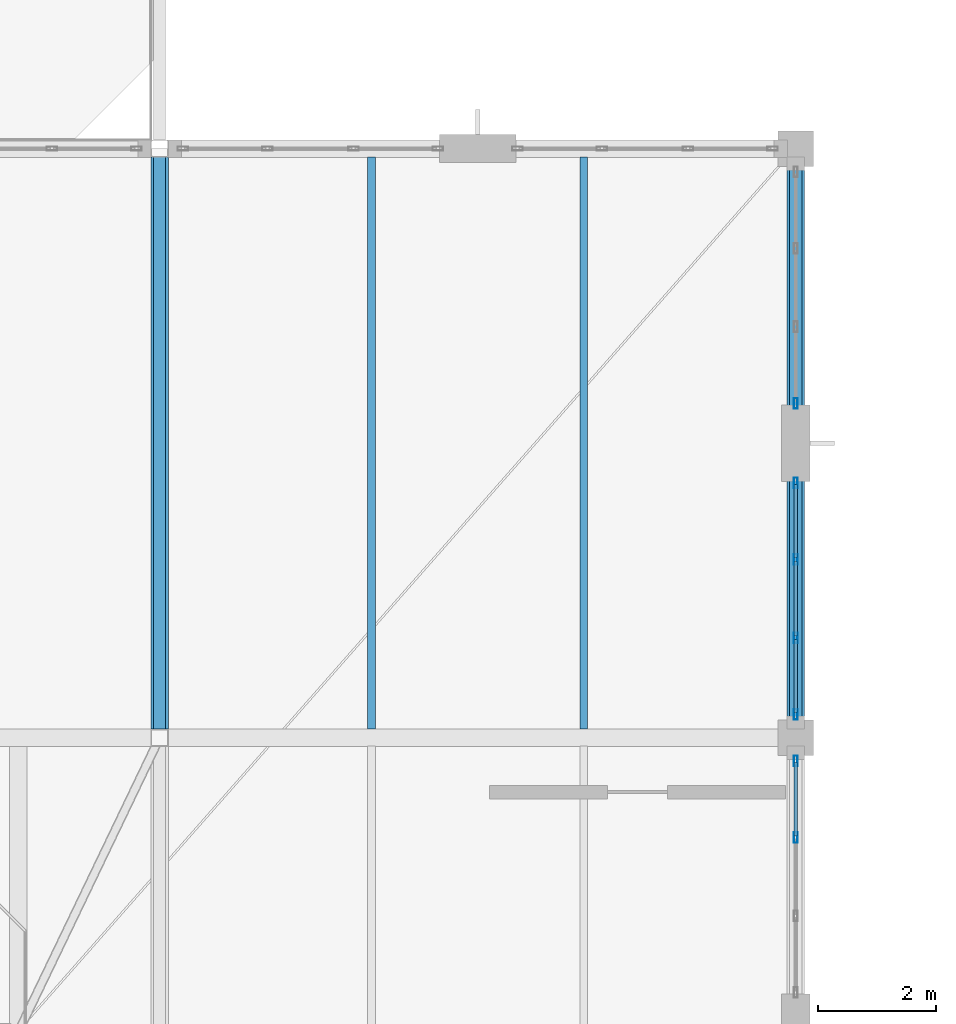
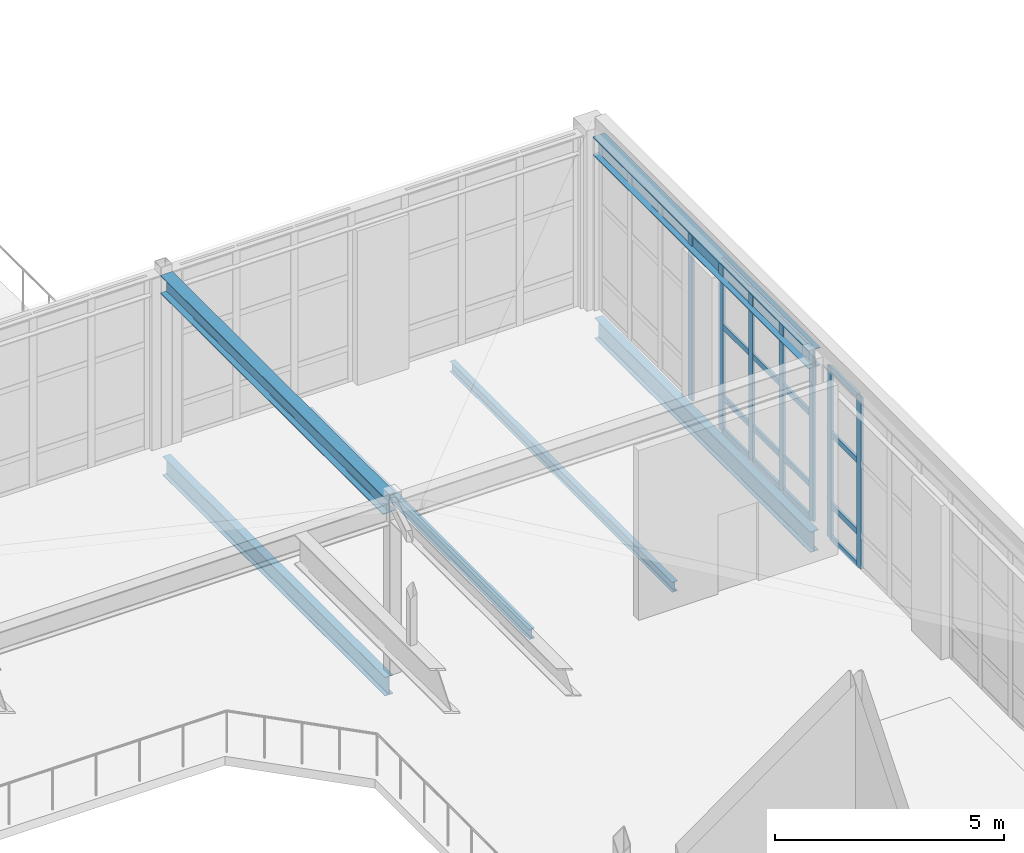
# One storey, part 42 of 86: 23 members, 6 beams, 3 elements without a shape of their own.
"""IFC4 building model written with IfcOpenShell, lengths in metres."""

from ifc_helpers import new_model, si_unit, direction, frame, origin, origin_2d, place, context, subcontext, project, spatial, hollow_rectangle, i_section, extrude, material, layer, layer_set, material_profile, profile_set, type_object, element, aggregate, save


model = new_model("IFC4")

# Units and contexts
model_context = context("Model", 3, precision=1e-05, world=origin(), true_north=direction((0.0, 1.0)))
body_context = subcontext(model_context, "Body", "Model", "MODEL_VIEW")
ifc_project = project(units=[si_unit("LENGTHUNIT", "METRE"), si_unit("AREAUNIT", "SQUARE_METRE"), si_unit("VOLUMEUNIT", "CUBIC_METRE"), si_unit("PLANEANGLEUNIT", "RADIAN"), si_unit("MASSUNIT", "GRAM", prefix="KILO")], contexts=[model_context])

# Site, building, storey
site_placement = place(None, origin())
site = spatial("IfcSite", under=ifc_project, at=site_placement, CompositionType="ELEMENT")
building_placement = place(site_placement, origin())
building = spatial("IfcBuilding", under=site, at=building_placement, Name="Tasgan Crest Museum", CompositionType="ELEMENT")
storey_placement = place(building_placement, frame((0.0, 0.0, 24.0)))
storey = spatial("IfcBuildingStorey", under=building, at=storey_placement, Name="L04", CompositionType="ELEMENT", Elevation=24.0)

# Beams
ifc_material_1 = material(Name="Steel S355J2", Category="steel")
ifc_material_profile_1 = material_profile(ifc_material_1, i_section(OverallWidth=0.300048828125, OverallDepth=0.489990234375, WebThickness=0.011962890625, FlangeThickness=0.02294921875, FilletRadius=0.027099609375, at=origin_2d()), Name="HEA 500")
ifc_profile_set_1 = profile_set([ifc_material_profile_1], Name="Steel S355J2")
beam_type_1 = type_object("IfcBeamType", Name="BM-G-HEA500", PredefinedType="BEAM", material=ifc_profile_set_1)
beam_1_placement = place(storey_placement, frame((97.199951171875, 72.14599609375, 4.35498046875), z_axis=(0.0, 1.0, 0.0), x_axis=(-1.0, 0.0, 0.0)))
element("IfcBeam", 1, at=beam_1_placement, inside=storey, type_object=beam_type_1, Name="Winter-garden roof beam 10 72-82", PredefinedType="BEAM", context=body_context, shape_type="SweptSolid", body=[
    extrude(i_section(OverallWidth=0.300048828125, OverallDepth=0.489990234375, WebThickness=0.011962890625, FlangeThickness=0.02294921875, FilletRadius=0.027099609375, at=origin_2d()), origin(), (0.0, 0.0, 1.0), 9.7080078125),
])
beam_2_placement = place(storey_placement, frame((108.0, 72.2958984375, 4.35498046875), z_axis=(0.0, 1.0, 0.0), x_axis=(-1.0, 0.0, 0.0)))
element("IfcBeam", 2, at=beam_2_placement, inside=storey, type_object=beam_type_1, Name="Winter-garden roof beam 11 72-82", PredefinedType="BEAM", context=body_context, shape_type="SweptSolid", body=[
    extrude(i_section(OverallWidth=0.300048828125, OverallDepth=0.489990234375, WebThickness=0.011962890625, FlangeThickness=0.02294921875, FilletRadius=0.027099609375, at=origin_2d()), origin(), (0.0, 0.0, 1.0), 9.408203125),
])
ifc_material_2 = material(Name="Steel S355J2", Category="steel")
ifc_material_profile_2 = material_profile(ifc_material_2, i_section(OverallWidth=0.199951171875, OverallDepth=0.5, WebThickness=0.01025390625, FlangeThickness=0.01611328125, FilletRadius=0.02099609375, at=origin_2d()), Name="IPE 500")
ifc_profile_set_2 = profile_set([ifc_material_profile_2], Name="Steel S355J2")
beam_type_2 = type_object("IfcBeamType", Name="BM-G-IPE500", PredefinedType="BEAM", material=ifc_profile_set_2)
beam_3_placement = place(storey_placement, frame((97.199951171875, 72.14501953125, -0.489990234375), z_axis=(0.0, 1.0, 0.0), x_axis=(-1.0, 0.0, 0.0)))
element("IfcBeam", 3, at=beam_3_placement, inside=storey, type_object=beam_type_2, Name="Beam L04 10 72.0-82.0", PredefinedType="BEAM", context=body_context, shape_type="SweptSolid", body=[
    extrude(i_section(OverallWidth=0.199951171875, OverallDepth=0.5, WebThickness=0.01025390625, FlangeThickness=0.01611328125, FilletRadius=0.02099609375, at=origin_2d()), origin(), (0.0, 0.0, 1.0), 9.7099609375),
])
ifc_material_3 = material(Name="Steel S355J2", Category="steel")
ifc_material_profile_3 = material_profile(ifc_material_3, i_section(OverallWidth=0.2099609375, OverallDepth=0.550048828125, WebThickness=0.010986328125, FlangeThickness=0.01708984375, FilletRadius=0.02392578125, at=origin_2d()), Name="IPE 550")
ifc_profile_set_3 = profile_set([ifc_material_profile_3], Name="Steel S355J2")
beam_type_3 = type_object("IfcBeamType", Name="BM-G-IPE550", PredefinedType="BEAM", material=ifc_profile_set_3)
beam_4_placement = place(storey_placement, frame((108.0, 72.294921875, -0.514892578125), z_axis=(0.0, 1.0, 0.0), x_axis=(-1.0, 0.0, 0.0)))
element("IfcBeam", 4, at=beam_4_placement, inside=storey, type_object=beam_type_3, Name="Beam L04 11 72.0-82.0", PredefinedType="BEAM", context=body_context, shape_type="SweptSolid", body=[
    extrude(i_section(OverallWidth=0.2099609375, OverallDepth=0.550048828125, WebThickness=0.010986328125, FlangeThickness=0.01708984375, FilletRadius=0.02392578125, at=origin_2d()), origin(), (0.0, 0.0, 1.0), 9.41015625),
])
ifc_material_4 = material(Name="Steel S355J2", Category="steel")
ifc_material_profile_4 = material_profile(ifc_material_4, i_section(OverallWidth=0.135009765625, OverallDepth=0.27001953125, WebThickness=0.006591796875, FlangeThickness=0.01025390625, FilletRadius=0.014892578125, at=origin_2d()), Name="IPE 270")
ifc_profile_set_4 = profile_set([ifc_material_profile_4], Name="Steel S355J2")
beam_type_4 = type_object("IfcBeamType", Name="BM-J-IPE270", PredefinedType="JOIST", material=ifc_profile_set_4)
for number, where, z_axis, x_axis, name in (
    (5, (100.800048828125, 72.14501953125, -0.375), (0.0, 1.0, 0.0), (-1.0, 0.0, 0.0), "Secondary joist L04 X=100.8 Y=72.0-82.0"),
    (6, (104.39990234375, 72.14501953125, -0.375), (0.0, 1.0, 0.0), (-1.0, 0.0, 0.0), "Secondary joist L04 X=104.4 Y=72.0-82.0"),
):
    element("IfcBeam", number, at=place(storey_placement, frame(where, z_axis=z_axis, x_axis=x_axis)), inside=storey, type_object=beam_type_4, Name=name, PredefinedType="JOIST", context=body_context, shape_type="SweptSolid", body=[
        extrude(i_section(OverallWidth=0.135009765625, OverallDepth=0.27001953125, WebThickness=0.006591796875, FlangeThickness=0.01025390625, FilletRadius=0.014892578125, at=origin_2d()), origin(), (0.0, 0.0, 1.0), 9.7099609375),
    ])

# Curtain wall, members
ifc_material_5 = material(Name="Triple-Glazed Aluminium Curtain Wall", Category="aluminium")
ifc_layer = layer(ifc_material_5, 0.179931640625, Name="CW-DRUM-Y10-48")
ifc_layer_set = layer_set([ifc_layer], Name="Triple-Glazed Aluminium Curtain Wall")
curtain_wall_type = type_object("IfcCurtainWallType", Name="CW-DRUM-Y10-48", PredefinedType="NOTDEFINED", material=ifc_layer_set)
curtain_wall_1_placement = place(storey_placement, origin())
curtain_wall_1 = element("IfcCurtainWall", 7, at=curtain_wall_1_placement, inside=storey, type_object=curtain_wall_type, Name="Curtain wall L04 198", PredefinedType="NOTDEFINED")
ifc_material_6 = material(Name="Anodised Aluminium", Category="aluminium")
ifc_material_profile_5 = material_profile(ifc_material_6, hollow_rectangle(XDim=0.06494140625, YDim=0.179931640625, WallThickness=0.0048828125, at=origin_2d()), Name="ALU MULLION 180x65x5")
ifc_profile_set_5 = profile_set([ifc_material_profile_5], Name="Anodised Aluminium")
member_type_1 = type_object("IfcMemberType", Name="CW-MULLION-180", PredefinedType="MULLION", material=ifc_profile_set_5)
member_1_placement = place(storey_placement, frame((108.0, 70.304931640625, 0.0), z_axis=(0.0, 0.0, 1.0), x_axis=(-1.0, 0.0, 0.0)))
member_1 = element("IfcMember", 8, at=member_1_placement, type_object=member_type_1, Name="CW04 mullion 3", PredefinedType="MULLION", context=body_context, shape_type="SweptSolid", body=[
    extrude(hollow_rectangle(XDim=0.06494140625, YDim=0.179931640625, WallThickness=0.0048828125, at=origin_2d()), origin(), (0.0, 0.0, 1.0), 4.56005859375),
])
member_2_placement = place(storey_placement, frame((108.0, 71.60498046875, 0.0), z_axis=(0.0, 0.0, 1.0), x_axis=(-1.0, 0.0, 0.0)))
member_2 = element("IfcMember", 9, at=member_2_placement, type_object=member_type_1, Name="CW04 mullion 4", PredefinedType="MULLION", context=body_context, shape_type="SweptSolid", body=[
    extrude(hollow_rectangle(XDim=0.06494140625, YDim=0.179931640625, WallThickness=0.0048828125, at=origin_2d()), origin(), (0.0, 0.0, 1.0), 4.56005859375),
])

curtain_wall_2_placement = place(storey_placement, origin())
curtain_wall_2 = element("IfcCurtainWall", 10, at=curtain_wall_2_placement, inside=storey, type_object=curtain_wall_type, Name="Curtain wall L04 199", PredefinedType="NOTDEFINED")
member_3_placement = place(storey_placement, frame((108.0, 72.39501953125, 0.0), z_axis=(0.0, 0.0, 1.0), x_axis=(-1.0, 0.0, 0.0)))
member_3 = element("IfcMember", 11, at=member_3_placement, type_object=member_type_1, Name="CW04 mullion 1", PredefinedType="MULLION", context=body_context, shape_type="SweptSolid", body=[
    extrude(hollow_rectangle(XDim=0.06494140625, YDim=0.179931640625, WallThickness=0.0048828125, at=origin_2d()), origin(), (0.0, 0.0, 1.0), 4.56005859375),
])
member_4_placement = place(storey_placement, frame((108.0, 73.695068359375, 0.0), z_axis=(0.0, 0.0, 1.0), x_axis=(-1.0, 0.0, 0.0)))
member_4 = element("IfcMember", 12, at=member_4_placement, type_object=member_type_1, Name="CW04 mullion 2", PredefinedType="MULLION", context=body_context, shape_type="SweptSolid", body=[
    extrude(hollow_rectangle(XDim=0.06494140625, YDim=0.179931640625, WallThickness=0.0048828125, at=origin_2d()), origin(), (0.0, 0.0, 1.0), 4.56005859375),
])
member_5_placement = place(storey_placement, frame((108.0, 75.02490234375, 0.0), z_axis=(0.0, 0.0, 1.0), x_axis=(-1.0, 0.0, 0.0)))
member_5 = element("IfcMember", 13, at=member_5_placement, type_object=member_type_1, Name="CW04 mullion 3", PredefinedType="MULLION", context=body_context, shape_type="SweptSolid", body=[
    extrude(hollow_rectangle(XDim=0.06494140625, YDim=0.179931640625, WallThickness=0.0048828125, at=origin_2d()), origin(), (0.0, 0.0, 1.0), 4.56005859375),
])
member_6_placement = place(storey_placement, frame((108.0, 76.324951171875, 0.0), z_axis=(0.0, 0.0, 1.0), x_axis=(-1.0, 0.0, 0.0)))
member_6 = element("IfcMember", 14, at=member_6_placement, type_object=member_type_1, Name="CW04 mullion 4", PredefinedType="MULLION", context=body_context, shape_type="SweptSolid", body=[
    extrude(hollow_rectangle(XDim=0.06494140625, YDim=0.179931640625, WallThickness=0.0048828125, at=origin_2d()), origin(), (0.0, 0.0, 1.0), 4.56005859375),
])

# Curtain wall, member
curtain_wall_3_placement = place(storey_placement, origin())
curtain_wall_3 = element("IfcCurtainWall", 15, at=curtain_wall_3_placement, inside=storey, type_object=curtain_wall_type, Name="Curtain wall L04 200", PredefinedType="NOTDEFINED")
member_7_placement = place(storey_placement, frame((108.0, 77.675048828125, 0.0), z_axis=(0.0, 0.0, 1.0), x_axis=(-1.0, 0.0, 0.0)))
member_7 = element("IfcMember", 16, at=member_7_placement, type_object=member_type_1, Name="CW04 mullion 1", PredefinedType="MULLION", context=body_context, shape_type="SweptSolid", body=[
    extrude(hollow_rectangle(XDim=0.06494140625, YDim=0.179931640625, WallThickness=0.0048828125, at=origin_2d()), origin(), (0.0, 0.0, 1.0), 4.56005859375),
])
aggregate(curtain_wall_3, [member_7])

# Member
ifc_material_7 = material(Name="Anodised Aluminium", Category="aluminium")
ifc_material_profile_6 = material_profile(ifc_material_7, hollow_rectangle(XDim=0.06005859375, YDim=0.14990234375, WallThickness=0.0048828125, at=origin_2d()), Name="ALU TRANSOM 150x60x5")
ifc_profile_set_6 = profile_set([ifc_material_profile_6], Name="Anodised Aluminium")
member_type_2 = type_object("IfcMemberType", Name="CW-TRANSOM-150", PredefinedType="USERDEFINED", material=ifc_profile_set_6)
member_8_placement = place(storey_placement, frame((108.0, 70.3349609375, 0.030029296875), z_axis=(0.0, 1.0, 0.0), x_axis=(-1.0, 0.0, 0.0)))
member_8 = element("IfcMember", 17, at=member_8_placement, type_object=member_type_2, Name="CW04 transom 3.1", ObjectType="TRANSOM", PredefinedType="USERDEFINED", context=body_context, shape_type="SweptSolid", body=[
    extrude(hollow_rectangle(XDim=0.06005859375, YDim=0.14990234375, WallThickness=0.0048828125, at=origin_2d()), origin(), (0.0, 0.0, 1.0), 1.239990234375),
])

member_9_placement = place(storey_placement, frame((108.0, 70.3349609375, 0.89990234375), z_axis=(0.0, 1.0, 0.0), x_axis=(-1.0, 0.0, 0.0)))
member_9 = element("IfcMember", 18, at=member_9_placement, type_object=member_type_2, Name="CW04 transom 3.2", ObjectType="TRANSOM", PredefinedType="USERDEFINED", context=body_context, shape_type="SweptSolid", body=[
    extrude(hollow_rectangle(XDim=0.06005859375, YDim=0.14990234375, WallThickness=0.0048828125, at=origin_2d()), origin(), (0.0, 0.0, 1.0), 1.239990234375),
])

member_10_placement = place(storey_placement, frame((108.0, 70.3349609375, 2.800048828125), z_axis=(0.0, 1.0, 0.0), x_axis=(-1.0, 0.0, 0.0)))
member_10 = element("IfcMember", 19, at=member_10_placement, type_object=member_type_2, Name="CW04 transom 3.3", ObjectType="TRANSOM", PredefinedType="USERDEFINED", context=body_context, shape_type="SweptSolid", body=[
    extrude(hollow_rectangle(XDim=0.06005859375, YDim=0.14990234375, WallThickness=0.0048828125, at=origin_2d()), origin(), (0.0, 0.0, 1.0), 1.239990234375),
])

member_11_placement = place(storey_placement, frame((108.0, 70.3349609375, 4.530029296875), z_axis=(0.0, 1.0, 0.0), x_axis=(-1.0, 0.0, 0.0)))
member_11 = element("IfcMember", 20, at=member_11_placement, type_object=member_type_2, Name="CW04 transom 3.4", ObjectType="TRANSOM", PredefinedType="USERDEFINED", context=body_context, shape_type="SweptSolid", body=[
    extrude(hollow_rectangle(XDim=0.06005859375, YDim=0.14990234375, WallThickness=0.0048828125, at=origin_2d()), origin(), (0.0, 0.0, 1.0), 1.239990234375),
])

aggregate(curtain_wall_1, [member_1, member_2, member_8, member_9, member_10, member_11])

member_12_placement = place(storey_placement, frame((108.0, 72.425048828125, 0.030029296875), z_axis=(0.0, 1.0, 0.0), x_axis=(-1.0, 0.0, 0.0)))
member_12 = element("IfcMember", 21, at=member_12_placement, type_object=member_type_2, Name="CW04 transom 1.1", ObjectType="TRANSOM", PredefinedType="USERDEFINED", context=body_context, shape_type="SweptSolid", body=[
    extrude(hollow_rectangle(XDim=0.06005859375, YDim=0.14990234375, WallThickness=0.0048828125, at=origin_2d()), origin(), (0.0, 0.0, 1.0), 1.239990234375),
])

member_13_placement = place(storey_placement, frame((108.0, 72.425048828125, 0.89990234375), z_axis=(0.0, 1.0, 0.0), x_axis=(-1.0, 0.0, 0.0)))
member_13 = element("IfcMember", 22, at=member_13_placement, type_object=member_type_2, Name="CW04 transom 1.2", ObjectType="TRANSOM", PredefinedType="USERDEFINED", context=body_context, shape_type="SweptSolid", body=[
    extrude(hollow_rectangle(XDim=0.06005859375, YDim=0.14990234375, WallThickness=0.0048828125, at=origin_2d()), origin(), (0.0, 0.0, 1.0), 1.239990234375),
])

member_14_placement = place(storey_placement, frame((108.0, 72.425048828125, 2.800048828125), z_axis=(0.0, 1.0, 0.0), x_axis=(-1.0, 0.0, 0.0)))
member_14 = element("IfcMember", 23, at=member_14_placement, type_object=member_type_2, Name="CW04 transom 1.3", ObjectType="TRANSOM", PredefinedType="USERDEFINED", context=body_context, shape_type="SweptSolid", body=[
    extrude(hollow_rectangle(XDim=0.06005859375, YDim=0.14990234375, WallThickness=0.0048828125, at=origin_2d()), origin(), (0.0, 0.0, 1.0), 1.239990234375),
])

member_15_placement = place(storey_placement, frame((108.0, 72.425048828125, 4.530029296875), z_axis=(0.0, 1.0, 0.0), x_axis=(-1.0, 0.0, 0.0)))
member_15 = element("IfcMember", 24, at=member_15_placement, type_object=member_type_2, Name="CW04 transom 1.4", ObjectType="TRANSOM", PredefinedType="USERDEFINED", context=body_context, shape_type="SweptSolid", body=[
    extrude(hollow_rectangle(XDim=0.06005859375, YDim=0.14990234375, WallThickness=0.0048828125, at=origin_2d()), origin(), (0.0, 0.0, 1.0), 1.239990234375),
])

member_16_placement = place(storey_placement, frame((108.0, 73.72509765625, 0.030029296875), z_axis=(0.0, 1.0, 0.0), x_axis=(-1.0, 0.0, 0.0)))
member_16 = element("IfcMember", 25, at=member_16_placement, type_object=member_type_2, Name="CW04 transom 2.1", ObjectType="TRANSOM", PredefinedType="USERDEFINED", context=body_context, shape_type="SweptSolid", body=[
    extrude(hollow_rectangle(XDim=0.06005859375, YDim=0.14990234375, WallThickness=0.0048828125, at=origin_2d()), origin(), (0.0, 0.0, 1.0), 1.27001953125),
])

member_17_placement = place(storey_placement, frame((108.0, 73.72509765625, 0.89990234375), z_axis=(0.0, 1.0, 0.0), x_axis=(-1.0, 0.0, 0.0)))
member_17 = element("IfcMember", 26, at=member_17_placement, type_object=member_type_2, Name="CW04 transom 2.2", ObjectType="TRANSOM", PredefinedType="USERDEFINED", context=body_context, shape_type="SweptSolid", body=[
    extrude(hollow_rectangle(XDim=0.06005859375, YDim=0.14990234375, WallThickness=0.0048828125, at=origin_2d()), origin(), (0.0, 0.0, 1.0), 1.27001953125),
])

member_18_placement = place(storey_placement, frame((108.0, 73.72509765625, 2.800048828125), z_axis=(0.0, 1.0, 0.0), x_axis=(-1.0, 0.0, 0.0)))
member_18 = element("IfcMember", 27, at=member_18_placement, type_object=member_type_2, Name="CW04 transom 2.3", ObjectType="TRANSOM", PredefinedType="USERDEFINED", context=body_context, shape_type="SweptSolid", body=[
    extrude(hollow_rectangle(XDim=0.06005859375, YDim=0.14990234375, WallThickness=0.0048828125, at=origin_2d()), origin(), (0.0, 0.0, 1.0), 1.27001953125),
])

member_19_placement = place(storey_placement, frame((108.0, 73.72509765625, 4.530029296875), z_axis=(0.0, 1.0, 0.0), x_axis=(-1.0, 0.0, 0.0)))
member_19 = element("IfcMember", 28, at=member_19_placement, type_object=member_type_2, Name="CW04 transom 2.4", ObjectType="TRANSOM", PredefinedType="USERDEFINED", context=body_context, shape_type="SweptSolid", body=[
    extrude(hollow_rectangle(XDim=0.06005859375, YDim=0.14990234375, WallThickness=0.0048828125, at=origin_2d()), origin(), (0.0, 0.0, 1.0), 1.27001953125),
])

member_20_placement = place(storey_placement, frame((108.0, 75.054931640625, 0.030029296875), z_axis=(0.0, 1.0, 0.0), x_axis=(-1.0, 0.0, 0.0)))
member_20 = element("IfcMember", 29, at=member_20_placement, type_object=member_type_2, Name="CW04 transom 3.1", ObjectType="TRANSOM", PredefinedType="USERDEFINED", context=body_context, shape_type="SweptSolid", body=[
    extrude(hollow_rectangle(XDim=0.06005859375, YDim=0.14990234375, WallThickness=0.0048828125, at=origin_2d()), origin(), (0.0, 0.0, 1.0), 1.239990234375),
])

member_21_placement = place(storey_placement, frame((108.0, 75.054931640625, 0.89990234375), z_axis=(0.0, 1.0, 0.0), x_axis=(-1.0, 0.0, 0.0)))
member_21 = element("IfcMember", 30, at=member_21_placement, type_object=member_type_2, Name="CW04 transom 3.2", ObjectType="TRANSOM", PredefinedType="USERDEFINED", context=body_context, shape_type="SweptSolid", body=[
    extrude(hollow_rectangle(XDim=0.06005859375, YDim=0.14990234375, WallThickness=0.0048828125, at=origin_2d()), origin(), (0.0, 0.0, 1.0), 1.239990234375),
])

member_22_placement = place(storey_placement, frame((108.0, 75.054931640625, 2.800048828125), z_axis=(0.0, 1.0, 0.0), x_axis=(-1.0, 0.0, 0.0)))
member_22 = element("IfcMember", 31, at=member_22_placement, type_object=member_type_2, Name="CW04 transom 3.3", ObjectType="TRANSOM", PredefinedType="USERDEFINED", context=body_context, shape_type="SweptSolid", body=[
    extrude(hollow_rectangle(XDim=0.06005859375, YDim=0.14990234375, WallThickness=0.0048828125, at=origin_2d()), origin(), (0.0, 0.0, 1.0), 1.239990234375),
])

member_23_placement = place(storey_placement, frame((108.0, 75.054931640625, 4.530029296875), z_axis=(0.0, 1.0, 0.0), x_axis=(-1.0, 0.0, 0.0)))
member_23 = element("IfcMember", 32, at=member_23_placement, type_object=member_type_2, Name="CW04 transom 3.4", ObjectType="TRANSOM", PredefinedType="USERDEFINED", context=body_context, shape_type="SweptSolid", body=[
    extrude(hollow_rectangle(XDim=0.06005859375, YDim=0.14990234375, WallThickness=0.0048828125, at=origin_2d()), origin(), (0.0, 0.0, 1.0), 1.239990234375),
])

aggregate(curtain_wall_2, [member_3, member_4, member_5, member_6, member_12, member_13, member_14, member_15, member_16, member_17, member_18, member_19, member_20, member_21, member_22, member_23])

save(model, "model.ifc")
